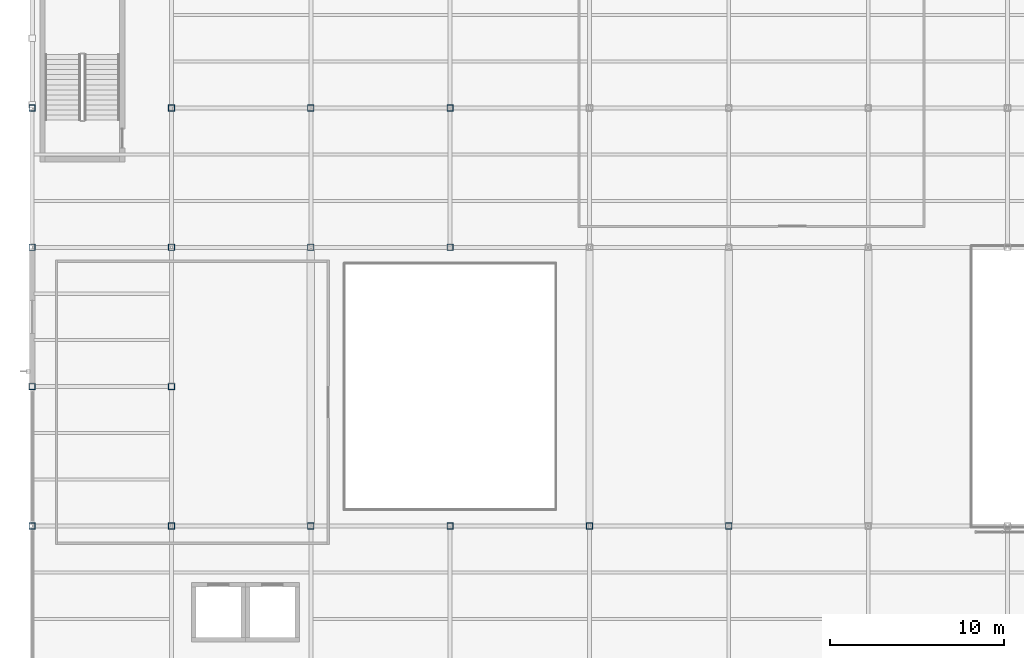
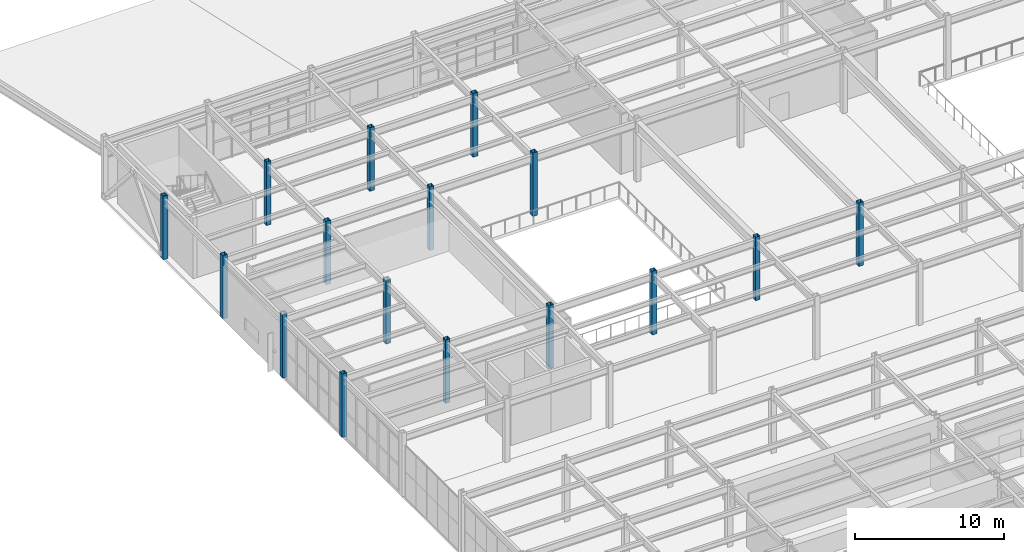
# One storey, part 8 of 77: 16 columns.
"""IFC4 building model written with IfcOpenShell, lengths in metres."""

import ifcopenshell
import ifcopenshell.guid

model = None  # the IFC model being written
_history = None  # IfcOwnerHistory: only IFC2X3 demands one
_inside = {}  # id of a spatial element -> (the spatial element, [elements in it])
_under = {}  # id of a project, library or spatial element -> (it, [spatial elements below it])
_declared = {}  # id of a project -> (the project, [libraries it declares])
_typed = {}  # id of a type object -> (the type object, [elements of that type])
_made_of = {}  # id of a material, layer set ... -> (it, [elements and type objects made of it])


def new_model(schema):
    """Start an empty IFC model of exactly this schema.

    Asked for "IFC4X3", IfcOpenShell would pick the latest addendum, in which some entities
    have other attributes; the version numbers below select the first issue.
    IFC2X3 requires an IfcOwnerHistory on every rooted entity: one is made here for all.
    """
    global model, _history
    if schema == "IFC4X3":
        model = ifcopenshell.file(schema_version=(4, 3, 0, 0))
    else:
        model = ifcopenshell.file(schema=schema)
    _inside.clear()
    _under.clear()
    _declared.clear()
    _typed.clear()
    _made_of.clear()
    _history = None
    if model.schema == "IFC2X3":
        org = make("IfcOrganization", Name="unknown")
        user = make(
            "IfcPersonAndOrganization",
            ThePerson=make("IfcPerson", FamilyName="unknown"),
            TheOrganization=org,
        )
        app = make(
            "IfcApplication",
            ApplicationDeveloper=org,
            Version="unknown",
            ApplicationFullName="unknown",
            ApplicationIdentifier="unknown",
        )
        _history = make(
            "IfcOwnerHistory",
            OwningUser=user,
            OwningApplication=app,
            ChangeAction="ADDED",
            CreationDate=0,
        )
    return model


def make(cls, **values):
    """One entity of the class cls with the attributes given. An attribute that is None is left unset."""
    return model.create_entity(
        cls, **{name: value for name, value in values.items() if value is not None}
    )


def rooted(cls, **values):
    """An entity with a GlobalId (a new one), such as an element, a storey or a relation."""
    return make(cls, GlobalId=ifcopenshell.guid.new(), OwnerHistory=_history, **values)


def si_unit(unit_type, name, prefix=None):
    """IfcSIUnit, for example si_unit("LENGTHUNIT", "METRE", prefix="MILLI")."""
    return make("IfcSIUnit", UnitType=unit_type, Prefix=prefix, Name=name)


def assignment(units):
    """IfcUnitAssignment: the units of a project."""
    return None if units is None else make("IfcUnitAssignment", Units=units)


def point(xyz):
    """IfcCartesianPoint."""
    return None if xyz is None else make("IfcCartesianPoint", Coordinates=xyz)


def direction(xyz):
    """IfcDirection."""
    return None if xyz is None else make("IfcDirection", DirectionRatios=xyz)


def frame(location, z_axis=None, x_axis=None):
    """IfcAxis2Placement3D, a coordinate frame: its origin and axes. An axis left out is left unset."""
    return make(
        "IfcAxis2Placement3D",
        Location=point(location),
        Axis=direction(z_axis),
        RefDirection=direction(x_axis),
    )


def frame_2d(location, x_axis=None):
    """IfcAxis2Placement2D, a coordinate frame in the plane: its origin and x axis."""
    return make(
        "IfcAxis2Placement2D", Location=point(location), RefDirection=direction(x_axis)
    )


def origin():
    """The frame at (0, 0, 0) with its axes left unset."""
    return frame((0.0, 0.0, 0.0))


def origin_2d():
    """The frame at (0, 0) in the plane with its x axis left unset."""
    return frame_2d((0.0, 0.0))


def place(relative_to, where):
    """IfcLocalPlacement: puts the frame where relative to a parent placement (None: the world)."""
    return make(
        "IfcLocalPlacement", PlacementRelTo=relative_to, RelativePlacement=where
    )


def context(
    kind, dimensions, precision=None, world=None, true_north=None, identifier=None
):
    """IfcGeometricRepresentationContext, for example the 3D "Model" context."""
    return make(
        "IfcGeometricRepresentationContext",
        ContextIdentifier=identifier,
        ContextType=kind,
        CoordinateSpaceDimension=dimensions,
        Precision=precision,
        WorldCoordinateSystem=world,
        TrueNorth=true_north,
    )


def subcontext(parent, identifier, kind, view, scale=None):
    """IfcGeometricRepresentationSubContext, for example "Body" below "Model"."""
    return make(
        "IfcGeometricRepresentationSubContext",
        ContextIdentifier=identifier,
        ContextType=kind,
        ParentContext=parent,
        TargetScale=scale,
        TargetView=view,
    )


def project(units=None, contexts=None):
    """IfcProject with its units and contexts."""
    return rooted(
        "IfcProject",
        Name="project",
        RepresentationContexts=contexts,
        UnitsInContext=assignment(units),
    )


def spatial(cls, under=None, at=None, **own):
    """A site, building, storey or space (cls), placed at a placement, below another one or the project."""
    s = rooted(cls, ObjectPlacement=at, **own)
    if under is not None:
        _under.setdefault(under.id(), (under, []))[1].append(s)
    return s


def profile(cls, at=None, kind="AREA", **sizes):
    """A parametric profile (cls). Its sizes go by their IFC names, for example OverallWidth=200.0."""
    return make(cls, ProfileType=kind, Position=at, **sizes)


def hollow_rectangle(**sizes):
    """IfcRectangleHollowProfileDef."""
    return profile("IfcRectangleHollowProfileDef", **sizes)


def extrude(swept, where, along, depth):
    """IfcExtrudedAreaSolid: the profile swept, set in the frame where, extruded along a direction by depth."""
    return make(
        "IfcExtrudedAreaSolid",
        SweptArea=swept,
        Position=where,
        ExtrudedDirection=direction(along),
        Depth=depth,
    )


def shape(context_of_items, identifier, shape_type, items):
    """IfcShapeRepresentation: the items that make up one representation, for example the "Body"."""
    return make(
        "IfcShapeRepresentation",
        ContextOfItems=context_of_items,
        RepresentationIdentifier=identifier,
        RepresentationType=shape_type,
        Items=items,
    )


def material(Name=None, Category=None):
    """IfcMaterial."""
    return make("IfcMaterial", Name=Name, Category=Category)


def material_profile(
    of_material, cross_section, Name=None, Category=None, Priority=None
):
    """IfcMaterialProfile: a cross section and its material."""
    return make(
        "IfcMaterialProfile",
        Name=Name,
        Material=of_material,
        Profile=cross_section,
        Priority=Priority,
        Category=Category,
    )


def profile_set(profiles, Name=None, composite=None):
    """IfcMaterialProfileSet."""
    return make(
        "IfcMaterialProfileSet",
        Name=Name,
        MaterialProfiles=profiles,
        CompositeProfile=composite,
    )


def made_of(thing, what):
    """Note that an element or type object is made of a material, layer set ...; save() writes the relation."""
    if what is not None:
        _made_of.setdefault(what.id(), (what, []))[1].append(thing)
    return thing


def type_object(cls, material=None, **own):
    """A type object (cls), such as IfcWallType, which elements share."""
    return made_of(rooted(cls, **own), material)


def element(
    cls,
    number,
    at=None,
    inside=None,
    cuts=None,
    type_object=None,
    material=None,
    context=None,
    identifier="Body",
    shape_type=None,
    held_by="IfcProductDefinitionShape",
    body=None,
    shapes=None,
    **own,
):
    """One element of the class cls, such as IfcWall. Its Tag is "e" and its number.

    at: its placement. inside: the storey or other place that contains it. cuts: it is an
    opening in that element (IfcRelVoidsElement). A single representation is given by context,
    identifier, shape_type and body (its items); several are given by shapes. held_by: the class
    of the entity that holds the representations. save() writes the other relations.
    """
    e = rooted(cls, Tag="e%d" % number, ObjectPlacement=at, **own)
    if body is not None:
        shapes = [shape(context, identifier, shape_type, body)]
    if shapes is not None:
        e.Representation = make(held_by, Representations=shapes)
    if inside is not None:
        _inside.setdefault(inside.id(), (inside, []))[1].append(e)
    if cuts is not None:
        rooted(
            "IfcRelVoidsElement", RelatingBuildingElement=cuts, RelatedOpeningElement=e
        )
    if type_object is not None:
        _typed.setdefault(type_object.id(), (type_object, []))[1].append(e)
    return made_of(e, material)


def aggregate(whole, parts):
    """IfcRelAggregates: a whole, such as a stair, and the parts it consists of."""
    return rooted("IfcRelAggregates", RelatingObject=whole, RelatedObjects=parts)


def save(model, path):
    """Write the relations noted so far, then the file.

    IfcRelAggregates (storeys below a building ...), IfcRelContainedInSpatialStructure (elements
    in a storey), IfcRelDefinesByType, IfcRelAssociatesMaterial and IfcRelDeclares: one each for
    every whole, place, type object, material and project.
    """
    for whole, parts in _under.values():
        aggregate(whole, parts)
    for where, things in _inside.values():
        rooted(
            "IfcRelContainedInSpatialStructure",
            RelatedElements=things,
            RelatingStructure=where,
        )
    for kind, things in _typed.values():
        rooted("IfcRelDefinesByType", RelatedObjects=things, RelatingType=kind)
    for what, things in _made_of.values():
        rooted("IfcRelAssociatesMaterial", RelatedObjects=things, RelatingMaterial=what)
    for by, libraries in _declared.values():
        rooted("IfcRelDeclares", RelatingContext=by, RelatedDefinitions=libraries)
    model.write(path)


model = new_model("IFC4")

# Units and contexts
model_context = context("Model", 3, precision=1e-05, world=origin(), true_north=direction((0.0, 1.0)))
body_context = subcontext(model_context, "Body", "Model", "MODEL_VIEW")
ifc_project = project(units=[si_unit("LENGTHUNIT", "METRE"), si_unit("AREAUNIT", "SQUARE_METRE"), si_unit("VOLUMEUNIT", "CUBIC_METRE"), si_unit("PLANEANGLEUNIT", "RADIAN"), si_unit("MASSUNIT", "GRAM", prefix="KILO")], contexts=[model_context])

# Site, building, storey
site_placement = place(None, origin())
site = spatial("IfcSite", under=ifc_project, at=site_placement, CompositionType="ELEMENT")
building_placement = place(site_placement, origin())
building = spatial("IfcBuilding", under=site, at=building_placement, Name="Drelvath Fold Interchange", CompositionType="ELEMENT")
storey_placement = place(building_placement, frame((0.0, 0.0, 6.0)))
storey = spatial("IfcBuildingStorey", under=building, at=storey_placement, Name="L01", CompositionType="ELEMENT", Elevation=6.0)

# Columns
ifc_material = material(Name="Steel ASTM A500 Grade C", Category="steel")
ifc_material_profile = material_profile(ifc_material, hollow_rectangle(XDim=0.35595703125, YDim=0.35595703125, WallThickness=0.014892578125, at=origin_2d()), Name="HSS14X14X5/8")
ifc_profile_set = profile_set([ifc_material_profile], Name="Steel ASTM A500 Grade C")
column_type = type_object("IfcColumnType", Name="COL-HSS356", PredefinedType="COLUMN", material=ifc_profile_set)
for number, where, z_axis, x_axis, name in (
    (1, (4.0, 67.0, 0.0), (0.0, 0.0, 1.0), (1.0, 0.0, 0.0), "L01 column (4,67)"),
    (2, (4.0, 75.0, 0.0), (0.0, 0.0, 1.0), (1.0, 0.0, 0.0), "L01 column (4,75)"),
    (3, (4.0, 83.0, 0.0), (0.0, 0.0, 1.0), (1.0, 0.0, 0.0), "L01 column (4,83)"),
    (4, (4.0, 91.0, 0.0), (0.0, 0.0, 1.0), (1.0, 0.0, 0.0), "L01 column (4,91)"),
    (5, (12.0, 67.0, 0.0), (0.0, 0.0, 1.0), (1.0, 0.0, 0.0), "L01 column (12,67)"),
    (6, (12.0, 75.0, 0.0), (0.0, 0.0, 1.0), (1.0, 0.0, 0.0), "L01 column (12,75)"),
    (7, (12.0, 83.0, 0.0), (0.0, 0.0, 1.0), (1.0, 0.0, 0.0), "L01 column (12,83)"),
    (8, (12.0, 91.0, 0.0), (0.0, 0.0, 1.0), (1.0, 0.0, 0.0), "L01 column (12,91)"),
    (9, (20.0, 67.0, 0.0), (0.0, 0.0, 1.0), (1.0, 0.0, 0.0), "L01 column (20,67)"),
    (10, (20.0, 83.0, 0.0), (0.0, 0.0, 1.0), (1.0, 0.0, 0.0), "L01 column (20,83)"),
    (11, (20.0, 91.0, 0.0), (0.0, 0.0, 1.0), (1.0, 0.0, 0.0), "L01 column (20,91)"),
    (12, (28.0, 67.0, 0.0), (0.0, 0.0, 1.0), (1.0, 0.0, 0.0), "L01 column (28,67)"),
    (13, (28.0, 83.0, 0.0), (0.0, 0.0, 1.0), (1.0, 0.0, 0.0), "L01 column (28,83)"),
    (14, (28.0, 91.0, 0.0), (0.0, 0.0, 1.0), (1.0, 0.0, 0.0), "L01 column (28,91)"),
    (15, (36.0, 67.0, 0.0), (0.0, 0.0, 1.0), (1.0, 0.0, 0.0), "L01 column (36,67)"),
    (16, (44.0, 67.0, 0.0), (0.0, 0.0, 1.0), (1.0, 0.0, 0.0), "L01 column (44,67)"),
):
    element("IfcColumn", number, at=place(storey_placement, frame(where, z_axis=z_axis, x_axis=x_axis)), inside=storey, type_object=column_type, Name=name, PredefinedType="COLUMN", context=body_context, shape_type="SweptSolid", body=[
        extrude(hollow_rectangle(XDim=0.35595703125, YDim=0.35595703125, WallThickness=0.014892578125, at=origin_2d()), origin(), (0.0, 0.0, 1.0), 5.199951171875),
    ])

save(model, "model.ifc")
